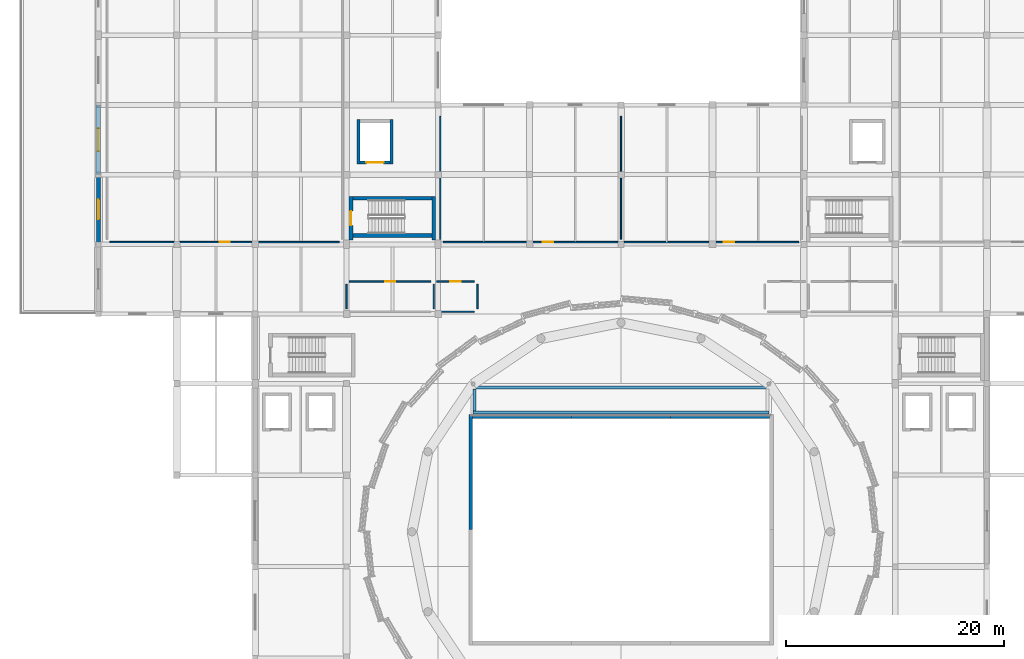
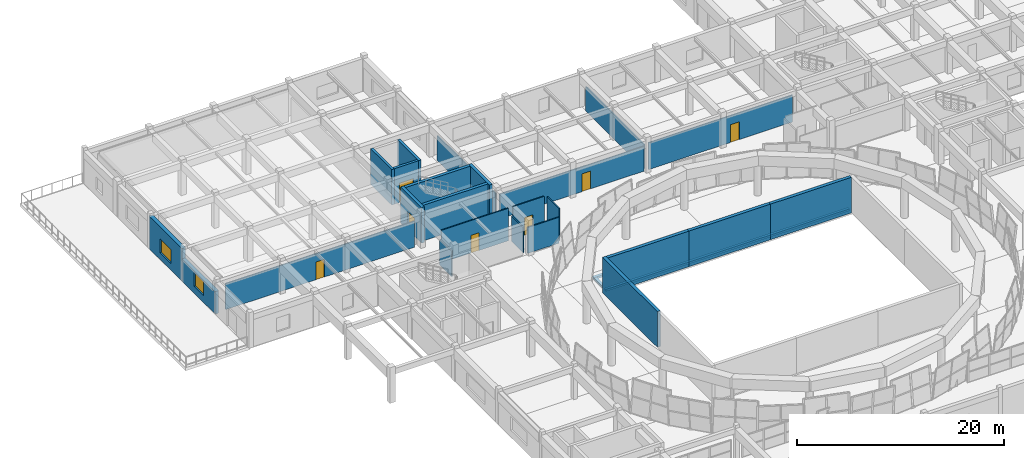
# One storey, part 29 of 40: 27 walls, 7 doors, 2 windows, 9 openings.
"""IFC4 building model written with IfcOpenShell, lengths in metres."""

from ifc_helpers import new_model, si_unit, direction, frame, frame_2d, origin, place, context, subcontext, project, spatial, rectangle, extrude, material, layer, layer_set, type_object, element, fill, save


model = new_model("IFC4")

# Units and contexts
model_context = context("Model", 3, precision=1e-05, world=origin(), true_north=direction((0.0, 1.0)))
body_context = subcontext(model_context, "Body", "Model", "MODEL_VIEW")
ifc_project = project(units=[si_unit("LENGTHUNIT", "METRE"), si_unit("AREAUNIT", "SQUARE_METRE"), si_unit("VOLUMEUNIT", "CUBIC_METRE"), si_unit("PLANEANGLEUNIT", "RADIAN"), si_unit("MASSUNIT", "GRAM", prefix="KILO")], contexts=[model_context])

# Site, building, storey
site_placement = place(None, origin())
site = spatial("IfcSite", under=ifc_project, at=site_placement, CompositionType="ELEMENT")
building_placement = place(site_placement, origin())
building = spatial("IfcBuilding", under=site, at=building_placement, Name="Korsvaeld Concert Hall", CompositionType="ELEMENT")
storey_placement = place(building_placement, frame((0.0, 0.0, 13.199951171875)))
storey = spatial("IfcBuildingStorey", under=building, at=storey_placement, Name="L03", CompositionType="ELEMENT", Elevation=13.199951171875)

# Walls
ifc_material_1 = material(Name="Concrete C40/50", Category="concrete")
ifc_layer_1 = layer(ifc_material_1, 0.340087890625)
ifc_layer_set_1 = layer_set([ifc_layer_1], Name="Concrete C40/50")
wall_type_1 = type_object("IfcWallType", Name="WL-CORE-340", PredefinedType="SHEAR", material=ifc_layer_set_1)
wall_1_placement = place(storey_placement, frame((59.3701171875, 90.39990234375, 0.0), z_axis=(0.0, 0.0, 1.0), x_axis=(1.0, 0.0, 0.0)))
element("IfcWall", 1, at=wall_1_placement, inside=storey, type_object=wall_type_1, Name="Core K5 shear wall L03 S", PredefinedType="SHEAR", context=body_context, shape_type="SweptSolid", body=[
    extrude(rectangle(XDim=7.259765625, YDim=0.340087890625, at=frame_2d((3.6298828125, 0.0))), origin(), (0.0, 0.0, 1.0), 4.199951171875),
])
wall_2_placement = place(storey_placement, frame((66.800048828125, 89.97509765625, 0.0), z_axis=(0.0, 0.0, 1.0), x_axis=(0.0, 1.0, 0.0)))
element("IfcWall", 2, at=wall_2_placement, inside=storey, type_object=wall_type_1, Name="Core K5 shear wall L03 E", PredefinedType="SHEAR", context=body_context, shape_type="SweptSolid", body=[
    extrude(rectangle(XDim=4.034912109375, YDim=0.340087890625, at=frame_2d((2.017578125, 0.0))), origin(), (0.0, 0.0, 1.0), 4.199951171875),
])
wall_3_placement = place(storey_placement, frame((66.6298828125, 93.840087890625, 0.0), z_axis=(0.0, 0.0, 1.0), x_axis=(-1.0, 0.0, 0.0)))
element("IfcWall", 3, at=wall_3_placement, inside=storey, type_object=wall_type_1, Name="Core K5 shear wall L03 N", PredefinedType="SHEAR", context=body_context, shape_type="SweptSolid", body=[
    extrude(rectangle(XDim=7.259765625, YDim=0.340087890625, at=frame_2d((3.6298828125, 0.0))), origin(), (0.0, 0.0, 1.0), 4.199951171875),
])

# Wall, opening, door
wall_4_placement = place(storey_placement, frame((59.199951171875, 94.010009765625, 0.0), z_axis=(0.0, 0.0, 1.0), x_axis=(0.0, -1.0, 0.0)))
wall_4 = element("IfcWall", 4, at=wall_4_placement, inside=storey, type_object=wall_type_1, Name="Core K5 shear wall L03 W", PredefinedType="SHEAR", context=body_context, shape_type="SweptSolid", body=[
    extrude(rectangle(XDim=4.034912109375, YDim=0.340087890625, at=frame_2d((2.017578125, 0.0))), origin(), (0.0, 0.0, 1.0), 4.199951171875),
])
opening_1_placement = place(wall_4_placement, frame((1.367431640625, 0.0, 0.0)))
opening_1 = element("IfcOpeningElement", 5, at=opening_1_placement, cuts=wall_4, Name="Opening FD-01", PredefinedType="OPENING", context=body_context, shape_type="SweptSolid", body=[
    extrude(rectangle(XDim=1.300048828125, YDim=2.14990234375, at=frame_2d((0.64990234375, 1.074951171875))), frame((0.0, 0.18017578125, 0.0), z_axis=(0.0, -1.0, 0.0), x_axis=(1.0, 0.0, 0.0)), (0.0, 0.0, 1.0), 0.360107421875),
])
ifc_material_2 = material(Name="Acoustic steel and oak fire door", Category="steel")
door_type_1 = type_object("IfcDoorType", Name="DR-FD-STAIR-130x215", OperationType="NOTDEFINED", PredefinedType="DOOR", material=ifc_material_2)
door_1_placement = place(opening_1_placement, origin())
door_1 = element("IfcDoor", 6, at=door_1_placement, inside=storey, type_object=door_type_1, Name="Escape stair ST-K5 fire door L03", OperationType="SINGLE_SWING_LEFT", OverallHeight=2.14990234375, OverallWidth=1.300048828125, PredefinedType="DOOR", context=body_context, shape_type="SweptSolid", body=[
    extrude(rectangle(XDim=1.300048828125, YDim=2.14990234375, at=frame_2d((0.64990234375, 1.074951171875))), frame((0.0, 0.02490234375, 0.0), z_axis=(0.0, -1.0, 0.0), x_axis=(1.0, 0.0, 0.0)), (0.0, 0.0, 1.0), 0.050048828125),
])
fill(opening_1, door_1)

# Wall, opening, window
ifc_material_3 = material(Name="Obernkirchener buff sandstone rainscreen on Concrete C35/45", Category="masonry")
ifc_layer_2 = layer(ifc_material_3, 0.389892578125)
ifc_layer_set_2 = layer_set([ifc_layer_2], Name="Obernkirchener buff sandstone rainscreen on Concrete C35/45")
wall_type_2 = type_object("IfcWallType", Name="WL-EXT-BUFF-390", PredefinedType="STANDARD", material=ifc_layer_set_2)
wall_5_placement = place(storey_placement, frame((36.0, 89.60009765625, 0.0), z_axis=(0.0, 0.0, 1.0), x_axis=(0.0, 1.0, 0.0)))
wall_5 = element("IfcWall", 7, at=wall_5_placement, inside=storey, type_object=wall_type_2, Name="Exterior sandstone wall L03-293", PredefinedType="STANDARD", context=body_context, shape_type="SweptSolid", body=[
    extrude(rectangle(XDim=6.39990234375, YDim=0.389892578125, at=frame_2d((3.199951171875, 0.0))), origin(), (0.0, 0.0, 1.0), 2.64013671875),
])
opening_2_placement = place(wall_5_placement, frame((2.300048828125, 0.0, 0.800048828125)))
opening_2 = element("IfcOpeningElement", 8, at=opening_2_placement, cuts=wall_5, Name="Opening WN-03", PredefinedType="OPENING", context=body_context, shape_type="SweptSolid", body=[
    extrude(rectangle(XDim=1.800048828125, YDim=1.64990234375, at=frame_2d((0.89990234375, 0.824951171875))), frame((0.0, 0.205078125, 0.0), z_axis=(0.0, -1.0, 0.0), x_axis=(1.0, 0.0, 0.0)), (0.0, 0.0, 1.0), 0.409912109375),
])
ifc_material_4 = material(Name="Anodised bronze frame with acoustic triple glazing", Category="glass")
window_type_1 = type_object("IfcWindowType", Name="WIN-AC-180x165", PartitioningType="SINGLE_PANEL", PredefinedType="WINDOW", material=ifc_material_4)
window_1_placement = place(opening_2_placement, origin())
window_1 = element("IfcWindow", 9, at=window_1_placement, inside=storey, type_object=window_type_1, Name="Acoustic triple-glazed window L03-188", OverallHeight=1.64990234375, OverallWidth=1.800048828125, PartitioningType="SINGLE_PANEL", PredefinedType="WINDOW", context=body_context, shape_type="SweptSolid", body=[
    extrude(rectangle(XDim=1.800048828125, YDim=1.64990234375, at=frame_2d((0.89990234375, 0.824951171875))), frame((0.0, 0.030029296875, 0.0), z_axis=(0.0, -1.0, 0.0), x_axis=(1.0, 0.0, 0.0)), (0.0, 0.0, 1.0), 0.06005859375),
])
fill(opening_2, window_1)

ifc_material_5 = material(Name="Bornholm Nexo rose-red sandstone rainscreen on Concrete C35/45", Category="masonry")
ifc_layer_3 = layer(ifc_material_5, 0.419921875)
ifc_layer_set_3 = layer_set([ifc_layer_3], Name="Bornholm Nexo rose-red sandstone rainscreen on Concrete C35/45")
wall_type_3 = type_object("IfcWallType", Name="WL-EXT-NEXO-420", PredefinedType="STANDARD", material=ifc_layer_set_3)
wall_6_placement = place(storey_placement, frame((36.0, 96.0, 0.0), z_axis=(0.0, 0.0, 1.0), x_axis=(0.0, 1.0, 0.0)))
wall_6 = element("IfcWall", 10, at=wall_6_placement, inside=storey, type_object=wall_type_3, Name="Exterior sandstone wall L03-294", PredefinedType="STANDARD", context=body_context, shape_type="SweptSolid", body=[
    extrude(rectangle(XDim=6.39990234375, YDim=0.419921875, at=frame_2d((3.199951171875, 0.0))), origin(), (0.0, 0.0, 1.0), 3.840087890625),
])
opening_3_placement = place(wall_6_placement, frame((2.14990234375, 0.0, 0.800048828125)))
opening_3 = element("IfcOpeningElement", 11, at=opening_3_placement, cuts=wall_6, Name="Opening WN-04", PredefinedType="OPENING", context=body_context, shape_type="SweptSolid", body=[
    extrude(rectangle(XDim=2.10009765625, YDim=1.64990234375, at=frame_2d((1.050048828125, 0.824951171875))), frame((0.0, 0.219970703125, 0.0), z_axis=(0.0, -1.0, 0.0), x_axis=(1.0, 0.0, 0.0)), (0.0, 0.0, 1.0), 0.43994140625),
])
window_type_2 = type_object("IfcWindowType", Name="WIN-AC-210x165", PartitioningType="SINGLE_PANEL", PredefinedType="WINDOW", material=ifc_material_4)
window_2_placement = place(opening_3_placement, origin())
window_2 = element("IfcWindow", 12, at=window_2_placement, inside=storey, type_object=window_type_2, Name="Acoustic triple-glazed window L03-189", OverallHeight=1.64990234375, OverallWidth=2.10009765625, PartitioningType="SINGLE_PANEL", PredefinedType="WINDOW", context=body_context, shape_type="SweptSolid", body=[
    extrude(rectangle(XDim=2.10009765625, YDim=1.64990234375, at=frame_2d((1.050048828125, 0.824951171875))), frame((0.0, 0.030029296875, 0.0), z_axis=(0.0, -1.0, 0.0), x_axis=(1.0, 0.0, 0.0)), (0.0, 0.0, 1.0), 0.06005859375),
])
fill(opening_3, window_2)

# Walls
ifc_material_6 = material(Name="Bornholm Nexo crimson sandstone on Concrete C40/50", Category="masonry")
ifc_layer_4 = layer(ifc_material_6, 0.360107421875)
ifc_layer_set_4 = layer_set([ifc_layer_4], Name="Bornholm Nexo crimson sandstone on Concrete C40/50")
wall_type_4 = type_object("IfcWallType", Name="WL-HALL-360", PredefinedType="SHEAR", material=ifc_layer_set_4)
for number, where, z_axis, x_axis, name in (
    (13, (97.6201171875, 73.800048828125, 0.0), (0.0, 0.0, 1.0), (-1.0, 0.0, 0.0), "Acoustic hall box wall V1H L03 N.1"),
    (14, (88.5400390625, 73.800048828125, 0.0), (0.0, 0.0, 1.0), (-1.0, 0.0, 0.0), "Acoustic hall box wall V1H L03 N.2"),
    (15, (79.4599609375, 73.800048828125, 0.0), (0.0, 0.0, 1.0), (-1.0, 0.0, 0.0), "Acoustic hall box wall V1H L03 N.3"),
):
    element("IfcWall", number, at=place(storey_placement, frame(where, z_axis=z_axis, x_axis=x_axis)), inside=storey, type_object=wall_type_4, Name=name, PredefinedType="SHEAR", context=body_context, shape_type="SweptSolid", body=[
        extrude(rectangle(XDim=9.080078125, YDim=0.360107421875, at=frame_2d((4.5400390625, 0.0))), origin(), (0.0, 0.0, 1.0), 4.199951171875),
    ])
wall_7_placement = place(storey_placement, frame((70.199951171875, 73.97998046875, 0.0), z_axis=(0.0, 0.0, 1.0), x_axis=(0.0, -1.0, 0.0)))
element("IfcWall", 16, at=wall_7_placement, inside=storey, type_object=wall_type_4, Name="Acoustic hall box wall V1H L03 W.1", PredefinedType="SHEAR", context=body_context, shape_type="SweptSolid", body=[
    extrude(rectangle(XDim=10.580078125, YDim=0.360107421875, at=frame_2d((5.2900390625, 0.0))), origin(), (0.0, 0.0, 1.0), 4.199951171875),
])

# Wall, opening, door
ifc_material_7 = material(Name="Insulated acoustic gypsum partition")
ifc_layer_5 = layer(ifc_material_7, 0.125)
ifc_layer_set_5 = layer_set([ifc_layer_5], Name="Insulated acoustic gypsum partition")
wall_type_5 = type_object("IfcWallType", Name="WL-PART-125", PredefinedType="PARTITIONING", material=ifc_layer_set_5)
wall_8_placement = place(storey_placement, frame((37.06005859375, 89.800048828125, 0.0), z_axis=(0.0, 0.0, 1.0), x_axis=(1.0, 0.0, 0.0)))
wall_8 = element("IfcWall", 17, at=wall_8_placement, inside=storey, type_object=wall_type_5, Name="Interior partition L03-07 S", PredefinedType="PARTITIONING", context=body_context, shape_type="SweptSolid", body=[
    extrude(rectangle(XDim=21.079833984375, YDim=0.125, at=frame_2d((10.5400390625, 0.0))), origin(), (0.0, 0.0, 1.0), 3.06494140625),
])
opening_4_placement = place(wall_8_placement, frame((10.06494140625, 0.0, 0.0)))
opening_4 = element("IfcOpeningElement", 18, at=opening_4_placement, cuts=wall_8, Name="Opening ID-04", PredefinedType="OPENING", context=body_context, shape_type="SweptSolid", body=[
    extrude(rectangle(XDim=0.949951171875, YDim=2.10009765625, at=frame_2d((0.47509765625, 1.050048828125))), frame((0.0, 0.072509765625, 0.0), z_axis=(0.0, -1.0, 0.0), x_axis=(1.0, 0.0, 0.0)), (0.0, 0.0, 1.0), 0.14501953125),
])
ifc_material_8 = material(Name="European oak administration door")
door_type_2 = type_object("IfcDoorType", Name="DR-INT-ADM-095x210", OperationType="NOTDEFINED", PredefinedType="DOOR", material=ifc_material_8)
door_2_placement = place(opening_4_placement, origin())
door_2 = element("IfcDoor", 19, at=door_2_placement, inside=storey, type_object=door_type_2, Name="Nordic Music Manuscript Library & Reading Room door L03-07", OperationType="SINGLE_SWING_RIGHT", OverallHeight=2.10009765625, OverallWidth=0.949951171875, PredefinedType="DOOR", context=body_context, shape_type="SweptSolid", body=[
    extrude(rectangle(XDim=0.949951171875, YDim=2.10009765625, at=frame_2d((0.47509765625, 1.050048828125))), frame((0.0, 0.02490234375, 0.0), z_axis=(0.0, -1.0, 0.0), x_axis=(1.0, 0.0, 0.0)), (0.0, 0.0, 1.0), 0.050048828125),
])
fill(opening_4, door_2)

wall_9_placement = place(storey_placement, frame((67.659912109375, 89.800048828125, 0.0), z_axis=(0.0, 0.0, 1.0), x_axis=(1.0, 0.0, 0.0)))
wall_9 = element("IfcWall", 20, at=wall_9_placement, inside=storey, type_object=wall_type_5, Name="Interior partition L03-08 S", PredefinedType="PARTITIONING", context=body_context, shape_type="SweptSolid", body=[
    extrude(rectangle(XDim=16.080078125, YDim=0.125, at=frame_2d((8.0400390625, 0.0))), origin(), (0.0, 0.0, 1.0), 2.9150390625),
])
opening_5_placement = place(wall_9_placement, frame((9.1650390625, 0.0, 0.0)))
opening_5 = element("IfcOpeningElement", 21, at=opening_5_placement, cuts=wall_9, Name="Opening ID-04", PredefinedType="OPENING", context=body_context, shape_type="SweptSolid", body=[
    extrude(rectangle(XDim=0.949951171875, YDim=2.10009765625, at=frame_2d((0.47509765625, 1.050048828125))), frame((0.0, 0.072509765625, 0.0), z_axis=(0.0, -1.0, 0.0), x_axis=(1.0, 0.0, 0.0)), (0.0, 0.0, 1.0), 0.14501953125),
])
door_3_placement = place(opening_5_placement, origin())
door_3 = element("IfcDoor", 22, at=door_3_placement, inside=storey, type_object=door_type_2, Name="Historical Manuscript Archive door L03-08", OperationType="SINGLE_SWING_LEFT", OverallHeight=2.10009765625, OverallWidth=0.949951171875, PredefinedType="DOOR", context=body_context, shape_type="SweptSolid", body=[
    extrude(rectangle(XDim=0.949951171875, YDim=2.10009765625, at=frame_2d((0.47509765625, 1.050048828125))), frame((0.0, 0.02490234375, 0.0), z_axis=(0.0, -1.0, 0.0), x_axis=(1.0, 0.0, 0.0)), (0.0, 0.0, 1.0), 0.050048828125),
])
fill(opening_5, door_3)

# Walls
wall_10_placement = place(storey_placement, frame((84.0, 90.06005859375, 0.0), z_axis=(0.0, 0.0, 1.0), x_axis=(0.0, 1.0, 0.0)))
element("IfcWall", 23, at=wall_10_placement, inside=storey, type_object=wall_type_5, Name="Interior partition L03-08 E", PredefinedType="PARTITIONING", context=body_context, shape_type="SweptSolid", body=[
    extrude(rectangle(XDim=11.280029296875, YDim=0.125, at=frame_2d((5.64013671875, 0.0))), origin(), (0.0, 0.0, 1.0), 2.864990234375),
])
wall_11_placement = place(storey_placement, frame((67.39990234375, 101.340087890625, 0.0), z_axis=(0.0, 0.0, 1.0), x_axis=(0.0, -1.0, 0.0)))
element("IfcWall", 24, at=wall_11_placement, inside=storey, type_object=wall_type_5, Name="Interior partition L03-08 W", PredefinedType="PARTITIONING", context=body_context, shape_type="SweptSolid", body=[
    extrude(rectangle(XDim=11.280029296875, YDim=0.125, at=frame_2d((5.64013671875, 0.0))), origin(), (0.0, 0.0, 1.0), 2.9150390625),
])

# Wall, opening, door
wall_12_placement = place(storey_placement, frame((84.260009765625, 89.800048828125, 0.0), z_axis=(0.0, 0.0, 1.0), x_axis=(1.0, 0.0, 0.0)))
wall_12 = element("IfcWall", 25, at=wall_12_placement, inside=storey, type_object=wall_type_5, Name="Interior partition L03-09 S", PredefinedType="PARTITIONING", context=body_context, shape_type="SweptSolid", body=[
    extrude(rectangle(XDim=16.080078125, YDim=0.125, at=frame_2d((8.0400390625, 0.0))), origin(), (0.0, 0.0, 1.0), 3.1650390625),
])
opening_6_placement = place(wall_12_placement, frame((9.1650390625, 0.0, 0.0)))
opening_6 = element("IfcOpeningElement", 26, at=opening_6_placement, cuts=wall_12, Name="Opening ID-04", PredefinedType="OPENING", context=body_context, shape_type="SweptSolid", body=[
    extrude(rectangle(XDim=0.949951171875, YDim=2.10009765625, at=frame_2d((0.47509765625, 1.050048828125))), frame((0.0, 0.072509765625, 0.0), z_axis=(0.0, -1.0, 0.0), x_axis=(1.0, 0.0, 0.0)), (0.0, 0.0, 1.0), 0.14501953125),
])
door_4_placement = place(opening_6_placement, origin())
door_4 = element("IfcDoor", 27, at=door_4_placement, inside=storey, type_object=door_type_2, Name="Orchestra Artistic Planning Room door L03-09", OperationType="SINGLE_SWING_RIGHT", OverallHeight=2.10009765625, OverallWidth=0.949951171875, PredefinedType="DOOR", context=body_context, shape_type="SweptSolid", body=[
    extrude(rectangle(XDim=0.949951171875, YDim=2.10009765625, at=frame_2d((0.47509765625, 1.050048828125))), frame((0.0, 0.02490234375, 0.0), z_axis=(0.0, -1.0, 0.0), x_axis=(1.0, 0.0, 0.0)), (0.0, 0.0, 1.0), 0.050048828125),
])
fill(opening_6, door_4)

# Wall
wall_13_placement = place(storey_placement, frame((66.800048828125, 83.659912109375, 0.0), z_axis=(0.0, 0.0, 1.0), x_axis=(0.0, 1.0, 0.0)))
element("IfcWall", 28, at=wall_13_placement, inside=storey, type_object=wall_type_5, Name="Interior partition L03-13 E", PredefinedType="PARTITIONING", context=body_context, shape_type="SweptSolid", body=[
    extrude(rectangle(XDim=2.280029296875, YDim=0.125, at=frame_2d((1.14013671875, 0.0))), origin(), (0.0, 0.0, 1.0), 2.965087890625),
])

# Wall, opening, door
wall_14_placement = place(storey_placement, frame((66.5400390625, 86.199951171875, 0.0), z_axis=(0.0, 0.0, 1.0), x_axis=(-1.0, 0.0, 0.0)))
wall_14 = element("IfcWall", 29, at=wall_14_placement, inside=storey, type_object=wall_type_5, Name="Interior partition L03-13 N", PredefinedType="PARTITIONING", context=body_context, shape_type="SweptSolid", body=[
    extrude(rectangle(XDim=7.47998046875, YDim=0.125, at=frame_2d((3.739990234375, 0.0))), origin(), (0.0, 0.0, 1.0), 3.840087890625),
])
opening_7_placement = place(wall_14_placement, frame((3.27001953125, 0.0, 0.0)))
opening_7 = element("IfcOpeningElement", 30, at=opening_7_placement, cuts=wall_14, Name="Opening ID-05", PredefinedType="OPENING", context=body_context, shape_type="SweptSolid", body=[
    extrude(rectangle(XDim=0.93994140625, YDim=2.10009765625, at=frame_2d((0.469970703125, 1.050048828125))), frame((0.0, 0.072509765625, 0.0), z_axis=(0.0, -1.0, 0.0), x_axis=(1.0, 0.0, 0.0)), (0.0, 0.0, 1.0), 0.14501953125),
])
ifc_material_9 = material(Name="Accessible washroom oak door")
door_type_3 = type_object("IfcDoorType", Name="DR-INT-WC-094x210", OperationType="NOTDEFINED", PredefinedType="DOOR", material=ifc_material_9)
door_5_placement = place(opening_7_placement, origin())
door_5 = element("IfcDoor", 31, at=door_5_placement, inside=storey, type_object=door_type_3, Name="Public & Staff WC L03 West door L03-13", OperationType="SINGLE_SWING_RIGHT", OverallHeight=2.10009765625, OverallWidth=0.93994140625, PredefinedType="DOOR", context=body_context, shape_type="SweptSolid", body=[
    extrude(rectangle(XDim=0.93994140625, YDim=2.10009765625, at=frame_2d((0.469970703125, 1.050048828125))), frame((0.0, 0.02490234375, 0.0), z_axis=(0.0, -1.0, 0.0), x_axis=(1.0, 0.0, 0.0)), (0.0, 0.0, 1.0), 0.050048828125),
])
fill(opening_7, door_5)

# Walls
wall_15_placement = place(storey_placement, frame((58.800048828125, 85.93994140625, 0.0), z_axis=(0.0, 0.0, 1.0), x_axis=(0.0, -1.0, 0.0)))
element("IfcWall", 32, at=wall_15_placement, inside=storey, type_object=wall_type_5, Name="Interior partition L03-13 W", PredefinedType="PARTITIONING", context=body_context, shape_type="SweptSolid", body=[
    extrude(rectangle(XDim=2.280029296875, YDim=0.125, at=frame_2d((1.14013671875, 0.0))), origin(), (0.0, 0.0, 1.0), 3.01513671875),
])
wall_16_placement = place(storey_placement, frame((67.06005859375, 83.39990234375, 0.0), z_axis=(0.0, 0.0, 1.0), x_axis=(1.0, 0.0, 0.0)))
element("IfcWall", 33, at=wall_16_placement, inside=storey, type_object=wall_type_5, Name="Interior partition L03-14 S", PredefinedType="PARTITIONING", context=body_context, shape_type="SweptSolid", body=[
    extrude(rectangle(XDim=3.47998046875, YDim=0.125, at=frame_2d((1.739990234375, 0.0))), origin(), (0.0, 0.0, 1.0), 3.06494140625),
])
wall_17_placement = place(storey_placement, frame((70.800048828125, 83.659912109375, 0.0), z_axis=(0.0, 0.0, 1.0), x_axis=(0.0, 1.0, 0.0)))
element("IfcWall", 34, at=wall_17_placement, inside=storey, type_object=wall_type_5, Name="Interior partition L03-14 E", PredefinedType="PARTITIONING", context=body_context, shape_type="SweptSolid", body=[
    extrude(rectangle(XDim=2.280029296875, YDim=0.125, at=frame_2d((1.14013671875, 0.0))), origin(), (0.0, 0.0, 1.0), 3.840087890625),
])

# Wall, opening, door
wall_18_placement = place(storey_placement, frame((70.5400390625, 86.199951171875, 0.0), z_axis=(0.0, 0.0, 1.0), x_axis=(-1.0, 0.0, 0.0)))
wall_18 = element("IfcWall", 35, at=wall_18_placement, inside=storey, type_object=wall_type_5, Name="Interior partition L03-14 N", PredefinedType="PARTITIONING", context=body_context, shape_type="SweptSolid", body=[
    extrude(rectangle(XDim=3.47998046875, YDim=0.125, at=frame_2d((1.739990234375, 0.0))), origin(), (0.0, 0.0, 1.0), 3.840087890625),
])
opening_8_placement = place(wall_18_placement, frame((1.27001953125, 0.0, 0.0)))
opening_8 = element("IfcOpeningElement", 36, at=opening_8_placement, cuts=wall_18, Name="Opening ID-05", PredefinedType="OPENING", context=body_context, shape_type="SweptSolid", body=[
    extrude(rectangle(XDim=0.93994140625, YDim=2.10009765625, at=frame_2d((0.469970703125, 1.050048828125))), frame((0.0, 0.072509765625, 0.0), z_axis=(0.0, -1.0, 0.0), x_axis=(1.0, 0.0, 0.0)), (0.0, 0.0, 1.0), 0.14501953125),
])
door_6_placement = place(opening_8_placement, origin())
door_6 = element("IfcDoor", 37, at=door_6_placement, inside=storey, type_object=door_type_3, Name="Accessible WC L03 West door L03-14", OperationType="SINGLE_SWING_LEFT", OverallHeight=2.10009765625, OverallWidth=0.93994140625, PredefinedType="DOOR", context=body_context, shape_type="SweptSolid", body=[
    extrude(rectangle(XDim=0.93994140625, YDim=2.10009765625, at=frame_2d((0.469970703125, 1.050048828125))), frame((0.0, 0.02490234375, 0.0), z_axis=(0.0, -1.0, 0.0), x_axis=(1.0, 0.0, 0.0)), (0.0, 0.0, 1.0), 0.050048828125),
])
fill(opening_8, door_6)

ifc_layer_6 = layer(ifc_material_1, 0.280029296875)
ifc_layer_set_6 = layer_set([ifc_layer_6], Name="Concrete C40/50")
wall_type_6 = type_object("IfcWallType", Name="WL-SHAFT-280", PredefinedType="SHEAR", material=ifc_layer_set_6)
wall_19_placement = place(storey_placement, frame((60.0400390625, 97.10009765625, 0.0), z_axis=(0.0, 0.0, 1.0), x_axis=(1.0, 0.0, 0.0)))
wall_19 = element("IfcWall", 38, at=wall_19_placement, inside=storey, type_object=wall_type_6, Name="Lift LG-01 shaft wall L03 S", PredefinedType="SHEAR", context=body_context, shape_type="SweptSolid", body=[
    extrude(rectangle(XDim=2.719970703125, YDim=0.280029296875, at=frame_2d((1.35986328125, 0.0))), origin(), (0.0, 0.0, 1.0), 4.199951171875),
])
opening_9_placement = place(wall_19_placement, frame((0.56005859375, 0.0, 0.0)))
opening_9 = element("IfcOpeningElement", 39, at=opening_9_placement, cuts=wall_19, Name="Opening LD-03", PredefinedType="OPENING", context=body_context, shape_type="SweptSolid", body=[
    extrude(rectangle(XDim=1.60009765625, YDim=2.300048828125, at=frame_2d((0.800048828125, 1.14990234375))), frame((0.0, 0.14990234375, 0.0), z_axis=(0.0, -1.0, 0.0), x_axis=(1.0, 0.0, 0.0)), (0.0, 0.0, 1.0), 0.300048828125),
])
ifc_material_10 = material(Name="Heavy-duty stainless sliding goods lift landing door")
door_type_4 = type_object("IfcDoorType", Name="DR-LD-GOODS-160x230", OperationType="NOTDEFINED", PredefinedType="DOOR", material=ifc_material_10)
door_7_placement = place(opening_9_placement, origin())
door_7 = element("IfcDoor", 40, at=door_7_placement, inside=storey, type_object=door_type_4, Name="Lift landing door LG-01 L03", OperationType="SLIDING_TO_LEFT", OverallHeight=2.300048828125, OverallWidth=1.60009765625, PredefinedType="DOOR", context=body_context, shape_type="SweptSolid", body=[
    extrude(rectangle(XDim=1.60009765625, YDim=2.300048828125, at=frame_2d((0.800048828125, 1.14990234375))), frame((0.0, 0.02490234375, 0.0), z_axis=(0.0, -1.0, 0.0), x_axis=(1.0, 0.0, 0.0)), (0.0, 0.0, 1.0), 0.050048828125),
])
fill(opening_9, door_7)

# Walls
for number, where, z_axis, x_axis, name in (
    (41, (62.89990234375, 96.9599609375, 0.0), (0.0, 0.0, 1.0), (0.0, 1.0, 0.0), "Lift LG-01 shaft wall L03 E"),
    (42, (59.89990234375, 101.0400390625, 0.0), (0.0, 0.0, 1.0), (0.0, -1.0, 0.0), "Lift LG-01 shaft wall L03 W"),
):
    element("IfcWall", number, at=place(storey_placement, frame(where, z_axis=z_axis, x_axis=x_axis)), inside=storey, type_object=wall_type_6, Name=name, PredefinedType="SHEAR", context=body_context, shape_type="SweptSolid", body=[
        extrude(rectangle(XDim=4.080078125, YDim=0.280029296875, at=frame_2d((2.0400390625, 0.0))), origin(), (0.0, 0.0, 1.0), 4.199951171875),
    ])
ifc_layer_7 = layer(ifc_material_1, 0.300048828125)
ifc_layer_set_7 = layer_set([ifc_layer_7], Name="Concrete C40/50")
wall_type_7 = type_object("IfcWallType", Name="WL-TIER-300", PredefinedType="SHEAR", material=ifc_layer_set_7)
for number, where, z_axis, x_axis, name in (
    (43, (70.39990234375, 74.14990234375, 0.0), (0.0, 0.0, 1.0), (1.0, 0.0, 0.0), "Seating tier front riser wall V1-CHOIR-N"),
    (44, (70.39990234375, 76.449951171875, 0.0), (0.0, 0.0, 1.0), (1.0, 0.0, 0.0), "Seating tier back riser wall V1-CHOIR-N"),
):
    element("IfcWall", number, at=place(storey_placement, frame(where, z_axis=z_axis, x_axis=x_axis)), inside=storey, type_object=wall_type_7, Name=name, PredefinedType="SHEAR", context=body_context, shape_type="SweptSolid", body=[
        extrude(rectangle(XDim=27.2001953125, YDim=0.300048828125, at=frame_2d((13.60009765625, 0.0))), origin(), (0.0, 0.0, 1.0), 0.25),
    ])
wall_20_placement = place(storey_placement, frame((70.550048828125, 74.300048828125, 0.0), z_axis=(0.0, 0.0, 1.0), x_axis=(0.0, 1.0, 0.0)))
element("IfcWall", 45, at=wall_20_placement, inside=storey, type_object=wall_type_7, Name="Seating tier west flank wall V1-CHOIR-N", PredefinedType="SHEAR", context=body_context, shape_type="SweptSolid", body=[
    extrude(rectangle(XDim=2.0, YDim=0.300048828125, at=frame_2d((1.0, 0.0))), origin(), (0.0, 0.0, 1.0), 0.25),
])

save(model, "model.ifc")
